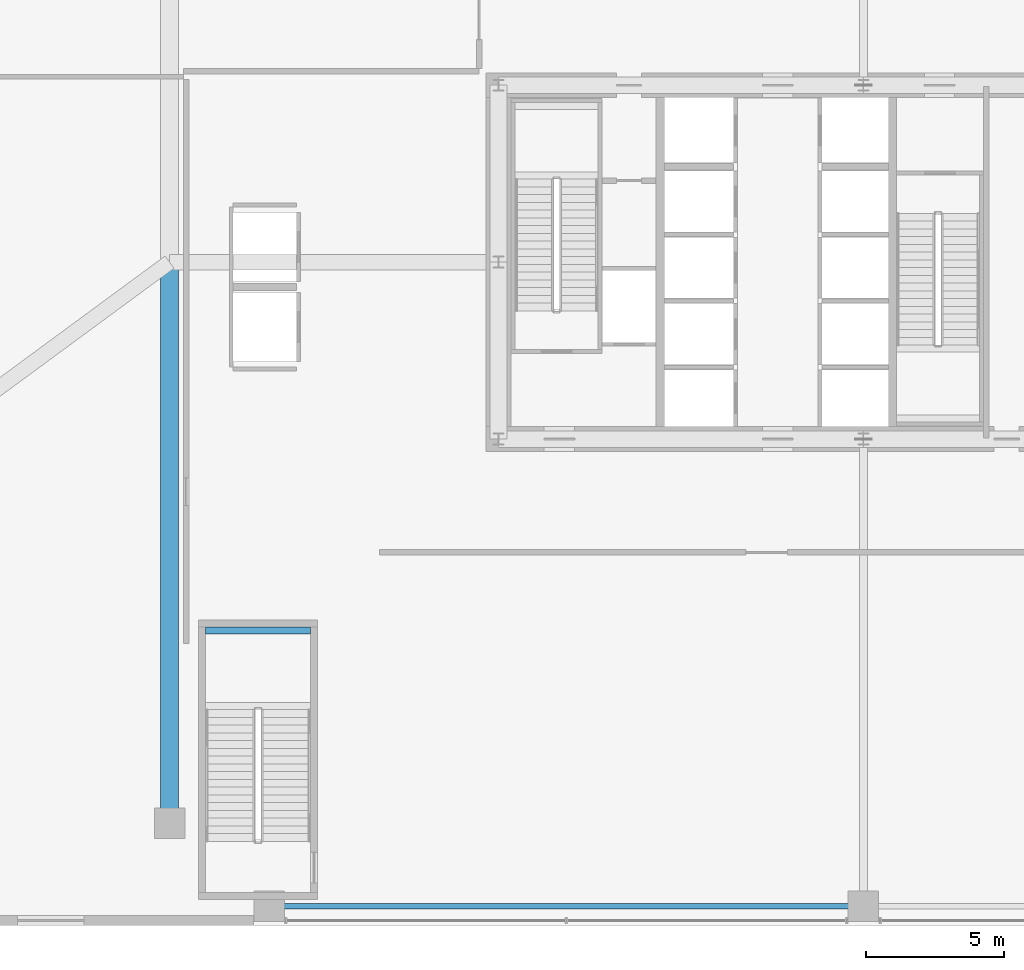
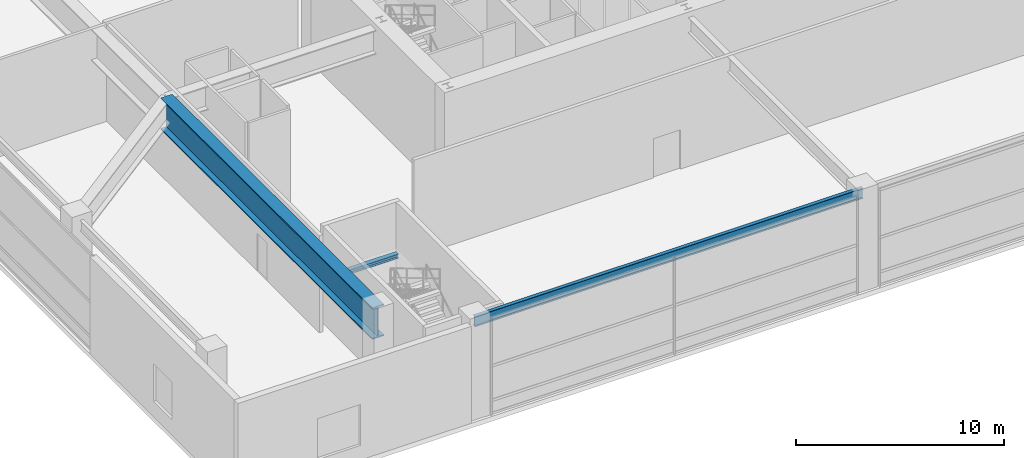
# One storey, part 6 of 39: 3 beams.
"""IFC4 building model written with IfcOpenShell, lengths in metres."""

from ifc_helpers import new_model, si_unit, direction, frame, origin, origin_2d, place, context, subcontext, project, spatial, i_section, extrude, source, transform, mapped, material, material_profile, profile_set, type_object, element, save


model = new_model("IFC4")

# Units and contexts
model_context = context("Model", 3, precision=1e-05, world=origin(), true_north=direction((0.0, 1.0)))
body_context = subcontext(model_context, "Body", "Model", "MODEL_VIEW")
ifc_project = project(units=[si_unit("LENGTHUNIT", "METRE"), si_unit("AREAUNIT", "SQUARE_METRE"), si_unit("VOLUMEUNIT", "CUBIC_METRE"), si_unit("PLANEANGLEUNIT", "RADIAN"), si_unit("MASSUNIT", "GRAM", prefix="KILO"), si_unit("THERMODYNAMICTEMPERATUREUNIT", "KELVIN"), si_unit("POWERUNIT", "WATT")], contexts=[model_context])

# Site, building, storey
site_placement = place(None, origin())
site = spatial("IfcSite", under=ifc_project, at=site_placement, CompositionType="ELEMENT")
building_placement = place(site_placement, origin())
building = spatial("IfcBuilding", under=site, at=building_placement, Name="Yuzanri Waterfront Tower", CompositionType="ELEMENT")
storey_placement = place(building_placement, frame((0.0, 0.0, 19.800048828125)))
storey = spatial("IfcBuildingStorey", under=building, at=storey_placement, Name="L05", CompositionType="ELEMENT", Elevation=19.800048828125)

# Beams
ifc_material_1 = material(Name="Steel Q355B", Category="steel")
ifc_material_profile_1 = material_profile(ifc_material_1, i_section(OverallWidth=0.199951171875, OverallDepth=0.60009765625, WebThickness=0.010986328125, FlangeThickness=0.01708984375, at=origin_2d()), Name="HN 600x200x11x17")
ifc_profile_set_1 = profile_set([ifc_material_profile_1], Name="Steel Q355B")
beam_type_1 = type_object("IfcBeamType", Name="Perimeter Spandrel Q355B HN 600x200", PredefinedType="SPANDREL", material=ifc_profile_set_1)
shared_shape_1 = source(origin(), body_context, "Body", "SweptSolid", [
    extrude(i_section(OverallWidth=0.199951171875, OverallDepth=0.60009765625, WebThickness=0.010986328125, FlangeThickness=0.01708984375, at=origin_2d()), origin(), (0.0, 0.0, 1.0), 21.5),
])
beam_1_placement = place(storey_placement, frame((15.5, 2.5, 5.3798828125), z_axis=(1.0, 0.0, 0.0), x_axis=(0.0, 1.0, 0.0)))
element("IfcBeam", 1, at=beam_1_placement, inside=storey, type_object=beam_type_1, Name="L05 South Spandrel 1", PredefinedType="SPANDREL", context=body_context, shape_type="MappedRepresentation", body=[
    mapped(shared_shape_1, transform((0.0, 0.0, 0.0), scale=1.0)),
])
ifc_material_2 = material(Name="Steel Q420GJC", Category="steel")
ifc_material_profile_2 = material_profile(ifc_material_2, i_section(OverallWidth=0.64990234375, OverallDepth=1.85009765625, WebThickness=0.033935546875, FlangeThickness=0.06494140625, at=origin_2d()), Name="PG 1850x650x34x65")
ifc_profile_set_2 = profile_set([ifc_material_profile_2], Name="Steel Q420GJC")
beam_type_2 = type_object("IfcBeamType", Name="Long-Span Ballroom Transfer Girder Q420GJC PG 1850x650", PredefinedType="USERDEFINED", material=ifc_profile_set_2)
shared_shape_2 = source(origin(), body_context, "Body", "SweptSolid", [
    extrude(i_section(OverallWidth=0.64990234375, OverallDepth=1.85009765625, WebThickness=0.033935546875, FlangeThickness=0.06494140625, at=origin_2d()), origin(), (0.0, 0.0, 1.0), 20.300048828125),
])
beam_2_placement = place(storey_placement, frame((11.89990234375, 5.5, 4.7548828125), z_axis=(0.0, 1.0, 0.0), x_axis=(-1.0, 0.0, 0.0)))
element("IfcBeam", 2, at=beam_2_placement, inside=storey, type_object=beam_type_2, Name="L05 Ballroom Span Transfer Girder S", ObjectType="GIRDER", PredefinedType="USERDEFINED", context=body_context, shape_type="MappedRepresentation", body=[
    mapped(shared_shape_2, transform((0.0, 0.0, 0.0), scale=1.0)),
])
ifc_material_3 = material(Name="Steel Q355B", Category="steel")
ifc_material_profile_3 = material_profile(ifc_material_3, i_section(OverallWidth=0.25, OverallDepth=0.25, WebThickness=0.009033203125, FlangeThickness=0.013916015625, at=origin_2d()), Name="HW 250x250x9x14")
ifc_profile_set_3 = profile_set([ifc_material_profile_3], Name="Steel Q355B")
beam_type_3 = type_object("IfcBeamType", Name="Stair Landing Support Beam Q355B HW 250x250", PredefinedType="BEAM", material=ifc_profile_set_3)
shared_shape_3 = source(origin(), body_context, "Body", "SweptSolid", [
    extrude(i_section(OverallWidth=0.25, OverallDepth=0.25, WebThickness=0.009033203125, FlangeThickness=0.013916015625, at=origin_2d()), origin(), (0.0, 0.0, 1.0), 3.800048828125),
])
beam_3_placement = place(storey_placement, frame((13.199951171875, 12.469970703125, 2.675048828125), z_axis=(1.0, 0.0, 0.0), x_axis=(0.0, 1.0, 0.0)))
element("IfcBeam", 3, at=beam_3_placement, inside=storey, type_object=beam_type_3, Name="L05 Stair Landing Support Beam PST-01-L05-L1-2", PredefinedType="BEAM", context=body_context, shape_type="MappedRepresentation", body=[
    mapped(shared_shape_3, transform((0.0, 0.0, 0.0), scale=1.0)),
])

save(model, "model.ifc")
